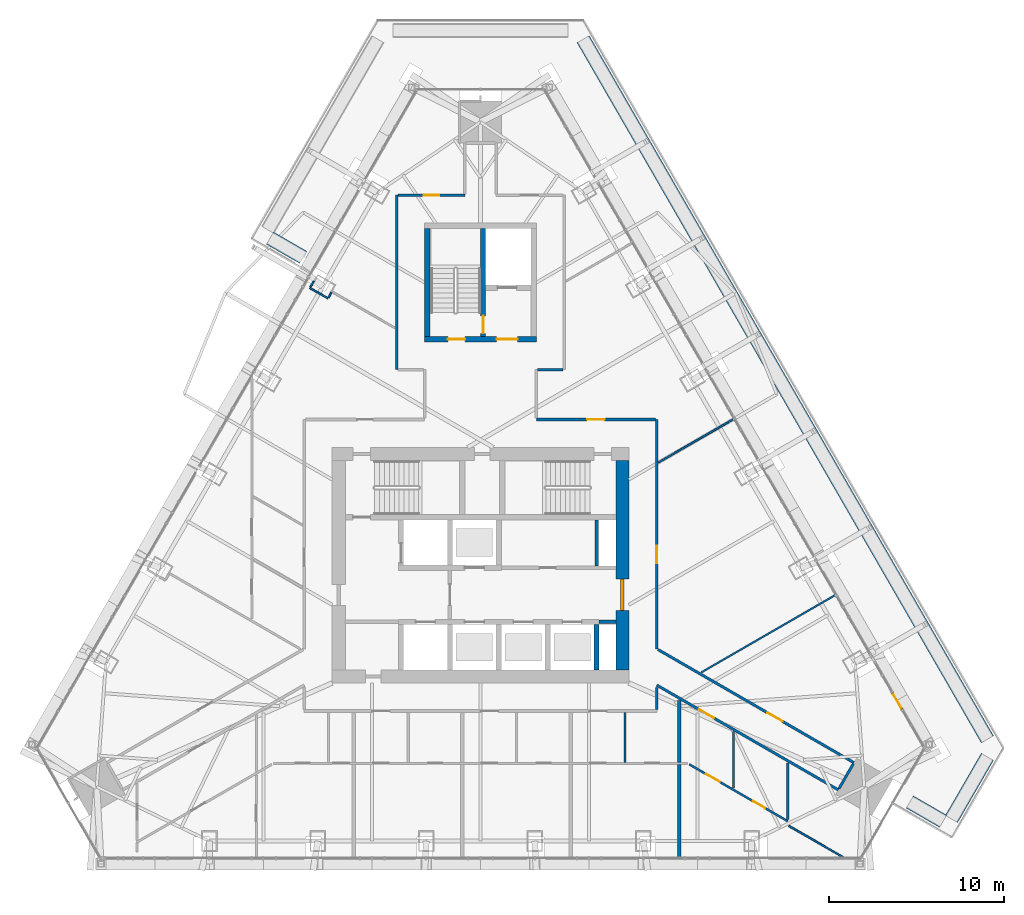
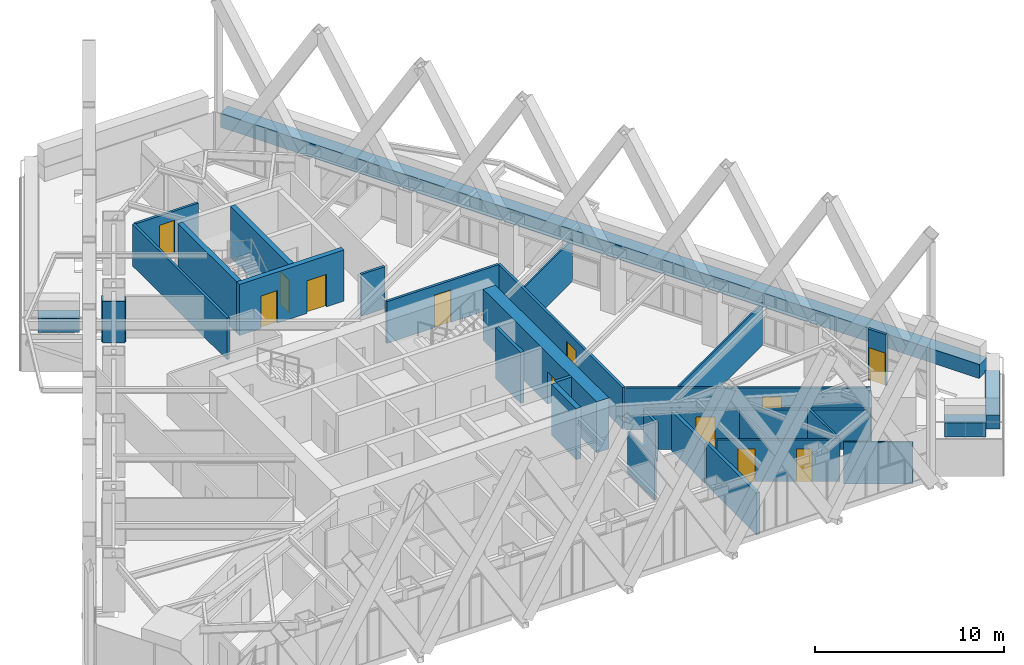
# One storey, part 19 of 23: 33 walls, 12 doors, 12 openings, 1 element without a shape of its own.
"""IFC4 building model written with IfcOpenShell, lengths in metres."""

from ifc_helpers import new_model, si_unit, direction, frame, frame_2d, origin, place, context, subcontext, project, spatial, rectangle, extrude, material, layer, layer_set, type_object, element, fill, aggregate, save


model = new_model("IFC4")

# Units and contexts
model_context = context("Model", 3, precision=1e-05, world=origin(), true_north=direction((0.0, 1.0)))
body_context = subcontext(model_context, "Body", "Model", "MODEL_VIEW")
ifc_project = project(units=[si_unit("LENGTHUNIT", "METRE"), si_unit("AREAUNIT", "SQUARE_METRE"), si_unit("VOLUMEUNIT", "CUBIC_METRE"), si_unit("PLANEANGLEUNIT", "RADIAN"), si_unit("MASSUNIT", "GRAM", prefix="KILO")], contexts=[model_context])

# Site, building, storey
site_placement = place(None, origin())
site = spatial("IfcSite", under=ifc_project, at=site_placement, CompositionType="ELEMENT")
building_placement = place(site_placement, origin())
building = spatial("IfcBuilding", under=site, at=building_placement, Name="Firuza Gate Tower and Library", CompositionType="ELEMENT")
storey_placement = place(building_placement, frame((0.0, 0.0, 291.60009765625)))
storey = spatial("IfcBuildingStorey", under=building, at=storey_placement, Name="L70", CompositionType="ELEMENT", Elevation=291.60009765625)

# Walls
ifc_material_1 = material(Name="Plasterboard on steel studs", Category="steel")
ifc_layer_1 = layer(ifc_material_1, 0.199951171875)
ifc_layer_set_1 = layer_set([ifc_layer_1], Name="Core partition 200 EI 120")
wall_type_1 = type_object("IfcWallType", Name="Core partition 200 EI 120", PredefinedType="PARTITIONING", material=ifc_layer_set_1)
wall_1_placement = place(storey_placement, frame((81.800048828125, 71.75, 0.0), z_axis=(0.0, 0.0, 1.0), x_axis=(1.0, 0.0, 0.0)))
element("IfcWall", 1, at=wall_1_placement, inside=storey, type_object=wall_type_1, Name="Core partition L70 2", PredefinedType="PARTITIONING", context=body_context, shape_type="SweptSolid", body=[
    extrude(rectangle(XDim=0.949951171875, YDim=0.199951171875, at=frame_2d((0.47509765625, 0.0))), origin(), (0.0, 0.0, 1.0), 3.2998046875),
])
wall_2_placement = place(storey_placement, frame((81.64990234375, 74.949951171875, 0.0), z_axis=(0.0, 0.0, 1.0), x_axis=(0.0, 1.0, 0.0)))
element("IfcWall", 2, at=wall_2_placement, inside=storey, type_object=wall_type_1, Name="Core partition L70 5", PredefinedType="PARTITIONING", context=body_context, shape_type="SweptSolid", body=[
    extrude(rectangle(XDim=2.650146484375, YDim=0.199951171875, at=frame_2d((1.3251953125, 0.0))), origin(), (0.0, 0.0, 1.0), 3.2998046875),
])
ifc_material_2 = material(Name="Concrete C60/75", Category="concrete")
ifc_layer_2 = layer(ifc_material_2, 0.300048828125)
ifc_layer_set_2 = layer_set([ifc_layer_2], Name="Core wall 300 C60/75")
wall_type_2 = type_object("IfcWallType", Name="Core wall 300 C60/75", PredefinedType="SHEAR", material=ifc_layer_set_2)
wall_3_placement = place(storey_placement, frame((81.64990234375, 69.0, 0.0), z_axis=(0.0, 0.0, 1.0), x_axis=(0.0, 1.0, 0.0)))
element("IfcWall", 3, at=wall_3_placement, inside=storey, type_object=wall_type_2, Name="Core wall L70 14", PredefinedType="SHEAR", context=body_context, shape_type="SweptSolid", body=[
    extrude(rectangle(XDim=2.60009765625, YDim=0.300048828125, at=frame_2d((1.300048828125, 0.0))), origin(), (0.0, 0.0, 1.0), 3.2998046875),
])

# Wall, openings, doors
wall_4_placement = place(storey_placement, frame((71.800048828125, 87.949951171875, 0.0), z_axis=(0.0, 0.0, 1.0), x_axis=(1.0, 0.0, 0.0)))
wall_4 = element("IfcWall", 4, at=wall_4_placement, inside=storey, type_object=wall_type_2, Name="Core wall L70 18", PredefinedType="SHEAR", context=body_context, shape_type="SweptSolid", body=[
    extrude(rectangle(XDim=6.39990234375, YDim=0.300048828125, at=frame_2d((3.199951171875, 0.0))), origin(), (0.0, 0.0, 1.0), 3.2998046875),
])
opening_1_placement = place(wall_4_placement, frame((1.324951171875, 0.0, 0.0)))
opening_1 = element("IfcOpeningElement", 5, at=opening_1_placement, cuts=wall_4, Name="Opening L70-K11", PredefinedType="OPENING", context=body_context, shape_type="SweptSolid", body=[
    extrude(rectangle(XDim=1.0, YDim=2.10009765625, at=frame_2d((0.5, 1.050048828125))), frame((0.0, 0.16015625, 0.0), z_axis=(0.0, -1.0, 0.0), x_axis=(1.0, 0.0, 0.0)), (0.0, 0.0, 1.0), 0.320068359375),
])
opening_2_placement = place(wall_4_placement, frame((4.125, 0.0, 0.0)))
opening_2 = element("IfcOpeningElement", 6, at=opening_2_placement, cuts=wall_4, Name="Opening L70-K13", PredefinedType="OPENING", context=body_context, shape_type="SweptSolid", body=[
    extrude(rectangle(XDim=1.199951171875, YDim=2.10009765625, at=frame_2d((0.60009765625, 1.050048828125))), frame((0.0, 0.16015625, 0.0), z_axis=(0.0, -1.0, 0.0), x_axis=(1.0, 0.0, 0.0)), (0.0, 0.0, 1.0), 0.320068359375),
])
ifc_material_3 = material(Name="Steel", Category="steel")
door_type_1 = type_object("IfcDoorType", Name="Fire door 1000x2100 FD90", OperationType="NOTDEFINED", PredefinedType="DOOR", material=ifc_material_3)
door_1_placement = place(opening_1_placement, origin())
door_1 = element("IfcDoor", 7, at=door_1_placement, inside=storey, type_object=door_type_1, Name="Door L70-K11", OperationType="SINGLE_SWING_RIGHT", OverallHeight=2.10009765625, OverallWidth=1.0, PredefinedType="DOOR", context=body_context, shape_type="SweptSolid", body=[
    extrude(rectangle(XDim=1.0, YDim=2.10009765625, at=frame_2d((0.5, 1.050048828125))), frame((0.0, 0.02490234375, 0.0), z_axis=(0.0, -1.0, 0.0), x_axis=(1.0, 0.0, 0.0)), (0.0, 0.0, 1.0), 0.050048828125),
])
fill(opening_1, door_1)
ifc_material_4 = material(Name="Steel", Category="steel")
door_type_2 = type_object("IfcDoorType", Name="Fire door 1200x2100 FD30S", OperationType="NOTDEFINED", PredefinedType="DOOR", material=ifc_material_4)
door_2_placement = place(opening_2_placement, origin())
door_2 = element("IfcDoor", 8, at=door_2_placement, inside=storey, type_object=door_type_2, Name="Door L70-K13", OperationType="SINGLE_SWING_RIGHT", OverallHeight=2.10009765625, OverallWidth=1.199951171875, PredefinedType="DOOR", context=body_context, shape_type="SweptSolid", body=[
    extrude(rectangle(XDim=1.199951171875, YDim=2.10009765625, at=frame_2d((0.60009765625, 1.050048828125))), frame((0.0, 0.02490234375, 0.0), z_axis=(0.0, -1.0, 0.0), x_axis=(1.0, 0.0, 0.0)), (0.0, 0.0, 1.0), 0.050048828125),
])
fill(opening_2, door_2)

# Wall
wall_5_placement = place(storey_placement, frame((71.949951171875, 88.10009765625, 0.0), z_axis=(0.0, 0.0, 1.0), x_axis=(0.0, 1.0, 0.0)))
element("IfcWall", 9, at=wall_5_placement, inside=storey, type_object=wall_type_2, Name="Core wall L70 20", PredefinedType="SHEAR", context=body_context, shape_type="SweptSolid", body=[
    extrude(rectangle(XDim=6.199951171875, YDim=0.300048828125, at=frame_2d((3.10009765625, 0.0))), origin(), (0.0, 0.0, 1.0), 3.2998046875),
])

# Wall, opening, door
wall_6_placement = place(storey_placement, frame((75.14990234375, 88.10009765625, 0.0), z_axis=(0.0, 0.0, 1.0), x_axis=(0.0, 1.0, 0.0)))
wall_6 = element("IfcWall", 10, at=wall_6_placement, inside=storey, type_object=wall_type_2, Name="Core wall L70 23", PredefinedType="SHEAR", context=body_context, shape_type="SweptSolid", body=[
    extrude(rectangle(XDim=6.199951171875, YDim=0.300048828125, at=frame_2d((3.10009765625, 0.0))), origin(), (0.0, 0.0, 1.0), 3.2998046875),
])
opening_3_placement = place(wall_6_placement, frame((0.18505859375, 0.0, 0.0)))
opening_3 = element("IfcOpeningElement", 11, at=opening_3_placement, cuts=wall_6, Name="Opening L70-K12", PredefinedType="OPENING", context=body_context, shape_type="SweptSolid", body=[
    extrude(rectangle(XDim=1.0, YDim=2.10009765625, at=frame_2d((0.5, 1.050048828125))), frame((0.0, 0.16015625, 0.0), z_axis=(0.0, -1.0, 0.0), x_axis=(1.0, 0.0, 0.0)), (0.0, 0.0, 1.0), 0.320068359375),
])
door_3_placement = place(opening_3_placement, origin())
door_3 = element("IfcDoor", 12, at=door_3_placement, inside=storey, type_object=door_type_1, Name="Door L70-K12", OperationType="SINGLE_SWING_LEFT", OverallHeight=2.10009765625, OverallWidth=1.0, PredefinedType="DOOR", context=body_context, shape_type="SweptSolid", body=[
    extrude(rectangle(XDim=1.0, YDim=2.10009765625, at=frame_2d((0.5, 1.050048828125))), frame((0.0, 0.02490234375, 0.0), z_axis=(0.0, -1.0, 0.0), x_axis=(1.0, 0.0, 0.0)), (0.0, 0.0, 1.0), 0.050048828125),
])
fill(opening_3, door_3)

ifc_material_5 = material(Name="Concrete C60/75", Category="concrete")
ifc_layer_3 = layer(ifc_material_5, 0.75)
ifc_layer_set_3 = layer_set([ifc_layer_3], Name="Core wall 750 C60/75")
wall_type_3 = type_object("IfcWallType", Name="Core wall 750 C60/75", PredefinedType="SHEAR", material=ifc_layer_set_3)
wall_7_placement = place(storey_placement, frame((83.125, 69.0, 0.0), z_axis=(0.0, 0.0, 1.0), x_axis=(0.0, 1.0, 0.0)))
wall_7 = element("IfcWall", 13, at=wall_7_placement, inside=storey, type_object=wall_type_3, Name="Core wall L70 4", PredefinedType="SHEAR", context=body_context, shape_type="SweptSolid", body=[
    extrude(rectangle(XDim=12.0, YDim=0.75, at=frame_2d((6.0, 0.0))), origin(), (0.0, 0.0, 1.0), 3.2998046875),
])
opening_4_placement = place(wall_7_placement, frame((3.39990234375, 0.0, 0.0)))
opening_4 = element("IfcOpeningElement", 14, at=opening_4_placement, cuts=wall_7, Name="Opening L70-K16", PredefinedType="OPENING", context=body_context, shape_type="SweptSolid", body=[
    extrude(rectangle(XDim=1.800048828125, YDim=2.10009765625, at=frame_2d((0.89990234375, 1.050048828125))), frame((0.0, 0.385009765625, 0.0), z_axis=(0.0, -1.0, 0.0), x_axis=(1.0, 0.0, 0.0)), (0.0, 0.0, 1.0), 0.77001953125),
])
ifc_material_6 = material(Name="Steel", Category="steel")
door_type_3 = type_object("IfcDoorType", Name="Fire door 1800x2100 FD30S", OperationType="NOTDEFINED", PredefinedType="DOOR", material=ifc_material_6)
door_4_placement = place(opening_4_placement, origin())
door_4 = element("IfcDoor", 15, at=door_4_placement, inside=storey, type_object=door_type_3, Name="Door L70-K16", OperationType="SINGLE_SWING_LEFT", OverallHeight=2.10009765625, OverallWidth=1.800048828125, PredefinedType="DOOR", context=body_context, shape_type="SweptSolid", body=[
    extrude(rectangle(XDim=1.800048828125, YDim=2.10009765625, at=frame_2d((0.89990234375, 1.050048828125))), frame((0.0, 0.094970703125, 0.0), z_axis=(0.0, -1.0, 0.0), x_axis=(1.0, 0.0, 0.0)), (0.0, 0.0, 1.0), 0.18994140625),
])
fill(opening_4, door_4)

ifc_material_7 = material(Name="Gypsum board partition")
ifc_layer_4 = layer(ifc_material_7, 0.14990234375)
ifc_layer_set_4 = layer_set([ifc_layer_4], Name="Corridor wall 150 double board on steel studs")
wall_type_4 = type_object("IfcWallType", Name="Corridor wall 150 double board on steel studs", PredefinedType="PARTITIONING", material=ifc_layer_set_4)
wall_8_placement = place(storey_placement, frame((78.199951171875, 83.35009765625, 0.0), z_axis=(0.0, 0.0, 1.0), x_axis=(1.0, 0.0, 0.0)))
wall_8 = element("IfcWall", 16, at=wall_8_placement, inside=storey, type_object=wall_type_4, Name="f:L70:w003", PredefinedType="PARTITIONING", context=body_context, shape_type="SweptSolid", body=[
    extrude(rectangle(XDim=6.824462890625, YDim=0.14990234375, at=frame_2d((3.412109375, 0.0))), origin(), (0.0, 0.0, 1.0), 2.699951171875),
])
opening_5_placement = place(wall_8_placement, frame((2.912353515625, 0.0, 0.0)))
opening_5 = element("IfcOpeningElement", 17, at=opening_5_placement, cuts=wall_8, Name="Opening L70-13", PredefinedType="OPENING", context=body_context, shape_type="SweptSolid", body=[
    extrude(rectangle(XDim=1.0, YDim=2.10009765625, at=frame_2d((0.5, 1.050048828125))), frame((0.0, 0.0849609375, 0.0), z_axis=(0.0, -1.0, 0.0), x_axis=(1.0, 0.0, 0.0)), (0.0, 0.0, 1.0), 0.169921875),
])
ifc_material_8 = material(Name="Steel door and timber leaf", Category="steel")
door_type_4 = type_object("IfcDoorType", Name="Fire door 1000 x 2100 steel frame, timber leaf", OperationType="NOTDEFINED", PredefinedType="DOOR", material=ifc_material_8)
door_5_placement = place(opening_5_placement, origin())
door_5 = element("IfcDoor", 18, at=door_5_placement, inside=storey, type_object=door_type_4, Name="f:L70:d013", OperationType="SINGLE_SWING_LEFT", OverallHeight=2.10009765625, OverallWidth=1.0, PredefinedType="DOOR", context=body_context, shape_type="SweptSolid", body=[
    extrude(rectangle(XDim=1.0, YDim=2.10009765625, at=frame_2d((0.5, 1.050048828125))), frame((0.0, 0.02490234375, 0.0), z_axis=(0.0, -1.0, 0.0), x_axis=(1.0, 0.0, 0.0)), (0.0, 0.0, 1.0), 0.050048828125),
])
fill(opening_5, door_5)

# Wall
wall_9_placement = place(storey_placement, frame((78.27490234375, 86.199951171875, 0.0), z_axis=(0.0, 0.0, 1.0), x_axis=(1.0, 0.0, 0.0)))
element("IfcWall", 19, at=wall_9_placement, inside=storey, type_object=wall_type_4, Name="f:L70:w005", PredefinedType="PARTITIONING", context=body_context, shape_type="SweptSolid", body=[
    extrude(rectangle(XDim=1.44970703125, YDim=0.14990234375, at=frame_2d((0.724853515625, 0.0))), origin(), (0.0, 0.0, 1.0), 2.699951171875),
])

# Wall, opening, door
wall_10_placement = place(storey_placement, frame((74.10009765625, 96.199951171875, 0.0), z_axis=(0.0, 0.0, 1.0), x_axis=(-1.0, 0.0, 0.0)))
wall_10 = element("IfcWall", 20, at=wall_10_placement, inside=storey, type_object=wall_type_4, Name="f:L70:w006", PredefinedType="PARTITIONING", context=body_context, shape_type="SweptSolid", body=[
    extrude(rectangle(XDim=3.82470703125, YDim=0.14990234375, at=frame_2d((1.912353515625, 0.0))), origin(), (0.0, 0.0, 1.0), 2.699951171875),
])
opening_6_placement = place(wall_10_placement, frame((1.462158203125, 0.0, 0.0)))
opening_6 = element("IfcOpeningElement", 21, at=opening_6_placement, cuts=wall_10, Name="Opening L70-14", PredefinedType="OPENING", context=body_context, shape_type="SweptSolid", body=[
    extrude(rectangle(XDim=0.89990234375, YDim=2.10009765625, at=frame_2d((0.449951171875, 1.050048828125))), frame((0.0, 0.0849609375, 0.0), z_axis=(0.0, -1.0, 0.0), x_axis=(1.0, 0.0, 0.0)), (0.0, 0.0, 1.0), 0.169921875),
])
ifc_material_9 = material(Name="Steel door and timber leaf", Category="steel")
door_type_5 = type_object("IfcDoorType", Name="Fire door 900 x 2100 steel frame, timber leaf", OperationType="NOTDEFINED", PredefinedType="DOOR", material=ifc_material_9)
door_6_placement = place(opening_6_placement, origin())
door_6 = element("IfcDoor", 22, at=door_6_placement, inside=storey, type_object=door_type_5, Name="f:L70:d014", OperationType="SINGLE_SWING_RIGHT", OverallHeight=2.10009765625, OverallWidth=0.89990234375, PredefinedType="DOOR", context=body_context, shape_type="SweptSolid", body=[
    extrude(rectangle(XDim=0.89990234375, YDim=2.10009765625, at=frame_2d((0.449951171875, 1.050048828125))), frame((0.0, 0.02490234375, 0.0), z_axis=(0.0, -1.0, 0.0), x_axis=(1.0, 0.0, 0.0)), (0.0, 0.0, 1.0), 0.050048828125),
])
fill(opening_6, door_6)

# Walls
wall_11_placement = place(storey_placement, frame((95.5361328125, 62.19140625, 0.0), z_axis=(0.0, 0.0, 1.0), x_axis=(0.500008692254, 0.866020385251, 0.0)))
element("IfcWall", 23, at=wall_11_placement, inside=storey, type_object=wall_type_4, Name="f:L70:w018", PredefinedType="PARTITIONING", context=body_context, shape_type="SweptSolid", body=[
    extrude(rectangle(XDim=1.64892578125, YDim=0.14990234375, at=frame_2d((0.824462890625, 0.0))), origin(), (0.0, 0.0, 1.0), 2.546875),
])
wall_12_placement = place(storey_placement, frame((85.10009765625, 66.72509765625, 0.0), z_axis=(0.0, 0.0, 1.0), x_axis=(0.0, 1.0, 0.0)))
element("IfcWall", 24, at=wall_12_placement, inside=storey, type_object=wall_type_4, Name="f:L70:w026", PredefinedType="PARTITIONING", context=body_context, shape_type="SweptSolid", body=[
    extrude(rectangle(XDim=1.267822265625, YDim=0.14990234375, at=frame_2d((0.6337890625, 0.0))), origin(), (0.0, 0.0, 1.0), 2.546875),
])

# Wall, opening, door
wall_13_placement = place(storey_placement, frame((85.10009765625, 83.349609375, 0.0), z_axis=(0.0, 0.0, 1.0), x_axis=(0.0, -1.0, 0.0)))
wall_13 = element("IfcWall", 25, at=wall_13_placement, inside=storey, type_object=wall_type_4, Name="f:L70:w027", PredefinedType="PARTITIONING", context=body_context, shape_type="SweptSolid", body=[
    extrude(rectangle(XDim=13.1416015625, YDim=0.14990234375, at=frame_2d((6.57080078125, 0.0))), origin(), (0.0, 0.0, 1.0), 2.699951171875),
])
opening_7_placement = place(wall_13_placement, frame((7.22802734375, 0.0, 0.0)))
opening_7 = element("IfcOpeningElement", 26, at=opening_7_placement, cuts=wall_13, Name="Opening L70-19", PredefinedType="OPENING", context=body_context, shape_type="SweptSolid", body=[
    extrude(rectangle(XDim=1.0, YDim=2.10009765625, at=frame_2d((0.5, 1.050048828125))), frame((0.0, 0.0849609375, 0.0), z_axis=(0.0, -1.0, 0.0), x_axis=(1.0, 0.0, 0.0)), (0.0, 0.0, 1.0), 0.169921875),
])
door_7_placement = place(opening_7_placement, origin())
door_7 = element("IfcDoor", 27, at=door_7_placement, inside=storey, type_object=door_type_4, Name="f:L70:d019", OperationType="SINGLE_SWING_LEFT", OverallHeight=2.10009765625, OverallWidth=1.0, PredefinedType="DOOR", context=body_context, shape_type="SweptSolid", body=[
    extrude(rectangle(XDim=1.0, YDim=2.10009765625, at=frame_2d((0.5, 1.050048828125))), frame((0.0, 0.02490234375, 0.0), z_axis=(0.0, -1.0, 0.0), x_axis=(1.0, 0.0, 0.0)), (0.0, 0.0, 1.0), 0.050048828125),
])
fill(opening_7, door_7)

# Wall
wall_14_placement = place(storey_placement, frame((70.199951171875, 86.201904296875, 0.0), z_axis=(0.0, 0.0, 1.0), x_axis=(0.0, 1.0, 0.0)))
element("IfcWall", 28, at=wall_14_placement, inside=storey, type_object=wall_type_4, Name="f:L70:w040", PredefinedType="PARTITIONING", context=body_context, shape_type="SweptSolid", body=[
    extrude(rectangle(XDim=9.99755859375, YDim=0.14990234375, at=frame_2d((4.998779296875, 0.0))), origin(), (0.0, 0.0, 1.0), 2.699951171875),
])

# Wall, opening, door
wall_15_placement = place(storey_placement, frame((85.175048828125, 70.164794921875, 0.0), z_axis=(0.0, 0.0, 1.0), x_axis=(0.866023706001, -0.500002940635, 0.0)))
wall_15 = element("IfcWall", 29, at=wall_15_placement, inside=storey, type_object=wall_type_4, Name="f:L70:w052", PredefinedType="PARTITIONING", context=body_context, shape_type="SweptSolid", body=[
    extrude(rectangle(XDim=12.95947265625, YDim=0.14990234375, at=frame_2d((6.479736328125, 0.0))), origin(), (0.0, 0.0, 1.0), 2.699951171875),
])
opening_8_placement = place(wall_15_placement, frame((7.24560546875, 0.0, 0.0)))
opening_8 = element("IfcOpeningElement", 30, at=opening_8_placement, cuts=wall_15, Name="Opening L70-24", PredefinedType="OPENING", context=body_context, shape_type="SweptSolid", body=[
    extrude(rectangle(XDim=1.0, YDim=2.10009765625, at=frame_2d((0.5, 1.050048828125))), frame((0.0, 0.0849609375, 0.0), z_axis=(0.0, -1.0, 0.0), x_axis=(1.0, 0.0, 0.0)), (0.0, 0.0, 1.0), 0.169921875),
])
door_8_placement = place(opening_8_placement, origin())
door_8 = element("IfcDoor", 31, at=door_8_placement, inside=storey, type_object=door_type_4, Name="f:L70:d024", OperationType="SINGLE_SWING_RIGHT", OverallHeight=2.10009765625, OverallWidth=1.0, PredefinedType="DOOR", context=body_context, shape_type="SweptSolid", body=[
    extrude(rectangle(XDim=1.0, YDim=2.10009765625, at=frame_2d((0.5, 1.050048828125))), frame((0.0, 0.02490234375, 0.0), z_axis=(0.0, -1.0, 0.0), x_axis=(1.0, 0.0, 0.0)), (0.0, 0.0, 1.0), 0.050048828125),
])
fill(opening_8, door_8)

wall_16_placement = place(storey_placement, frame((95.498291015625, 62.126220703125, 0.0), z_axis=(0.0, 0.0, 1.0), x_axis=(-0.866024746207, 0.500001138955, 0.0)))
wall_16 = element("IfcWall", 32, at=wall_16_placement, inside=storey, type_object=wall_type_4, Name="f:L70:w053", PredefinedType="PARTITIONING", context=body_context, shape_type="SweptSolid", body=[
    extrude(rectangle(XDim=12.0068359375, YDim=0.14990234375, at=frame_2d((6.00341796875, 0.0))), origin(), (0.0, 0.0, 1.0), 2.546875),
])
opening_9_placement = place(wall_16_placement, frame((8.221923828125, 0.0, 0.0)))
opening_9 = element("IfcOpeningElement", 33, at=opening_9_placement, cuts=wall_16, Name="Opening L70-25", PredefinedType="OPENING", context=body_context, shape_type="SweptSolid", body=[
    extrude(rectangle(XDim=1.0, YDim=2.10009765625, at=frame_2d((0.5, 1.050048828125))), frame((0.0, 0.0849609375, 0.0), z_axis=(0.0, -1.0, 0.0), x_axis=(1.0, 0.0, 0.0)), (0.0, 0.0, 1.0), 0.169921875),
])
door_9_placement = place(opening_9_placement, origin())
door_9 = element("IfcDoor", 34, at=door_9_placement, inside=storey, type_object=door_type_4, Name="f:L70:d025", OperationType="SINGLE_SWING_LEFT", OverallHeight=2.10009765625, OverallWidth=1.0, PredefinedType="DOOR", context=body_context, shape_type="SweptSolid", body=[
    extrude(rectangle(XDim=1.0, YDim=2.10009765625, at=frame_2d((0.5, 1.050048828125))), frame((0.0, 0.02490234375, 0.0), z_axis=(0.0, -1.0, 0.0), x_axis=(1.0, 0.0, 0.0)), (0.0, 0.0, 1.0), 0.050048828125),
])
fill(opening_9, door_9)

# Walls
ifc_material_10 = material(Name="Gypsum board partition")
ifc_layer_5 = layer(ifc_material_10, 0.199951171875)
ifc_layer_set_5 = layer_set([ifc_layer_5], Name="Demising wall 200 acoustic double stud")
wall_type_5 = type_object("IfcWallType", Name="Demising wall 200 acoustic double stud", PredefinedType="PARTITIONING", material=ifc_layer_set_5)
wall_17_placement = place(storey_placement, frame((86.39111328125, 58.2275390625, 0.0), z_axis=(0.0, 0.0, 1.0), x_axis=(0.0, 1.0, 0.0)))
element("IfcWall", 35, at=wall_17_placement, inside=storey, type_object=wall_type_5, Name="f:L70:w025", PredefinedType="PARTITIONING", context=body_context, shape_type="SweptSolid", body=[
    extrude(rectangle(XDim=5.362548828125, YDim=0.199951171875, at=frame_2d((2.68115234375, 0.0))), origin(), (0.0, 0.0, 1.0), 2.699951171875),
])
wall_18_placement = place(storey_placement, frame((86.39111328125, 63.7099609375, 0.0), z_axis=(0.0, 0.0, 1.0), x_axis=(0.0, 1.0, 0.0)))
element("IfcWall", 36, at=wall_18_placement, inside=storey, type_object=wall_type_5, Name="f:L70:w060", PredefinedType="PARTITIONING", context=body_context, shape_type="SweptSolid", body=[
    extrude(rectangle(XDim=3.527587890625, YDim=0.199951171875, at=frame_2d((1.763671875, 0.0))), origin(), (0.0, 0.0, 1.0), 2.546875),
])
ifc_material_11 = material(Name="Gypsum board partition")
ifc_layer_6 = layer(ifc_material_11, 0.10009765625)
ifc_layer_set_6 = layer_set([ifc_layer_6], Name="Partition 100 gypsum board on steel studs")
wall_type_6 = type_object("IfcWallType", Name="Partition 100 gypsum board on steel studs", PredefinedType="PARTITIONING", material=ifc_layer_set_6)
wall_19_placement = place(storey_placement, frame((87.644775390625, 68.855224609375, 0.0), z_axis=(0.0, 0.0, 1.0), x_axis=(0.866023307551, 0.500003630766, 0.0)))
element("IfcWall", 37, at=wall_19_placement, inside=storey, type_object=wall_type_6, Name="f:L70:w010", PredefinedType="PARTITIONING", context=body_context, shape_type="SweptSolid", body=[
    extrude(rectangle(XDim=8.89404296875, YDim=0.10009765625, at=frame_2d((4.447021484375, 0.0))), origin(), (0.0, 0.0, 1.0), 2.68798828125),
])
wall_20_placement = place(storey_placement, frame((85.200927734375, 80.8896484375, 0.0), z_axis=(0.0, 0.0, 1.0), x_axis=(0.866025995923, 0.499998974385, 0.0)))
element("IfcWall", 38, at=wall_20_placement, inside=storey, type_object=wall_type_6, Name="f:L70:w014", PredefinedType="PARTITIONING", context=body_context, shape_type="SweptSolid", body=[
    extrude(rectangle(XDim=4.9931640625, YDim=0.10009765625, at=frame_2d((2.49658203125, 0.0))), origin(), (0.0, 0.0, 1.0), 2.68798828125),
])
wall_21_placement = place(storey_placement, frame((66.28759765625, 90.33349609375, 0.0), z_axis=(0.0, 0.0, 1.0), x_axis=(0.499620918551, 0.866244155967, 0.0)))
element("IfcWall", 39, at=wall_21_placement, inside=storey, type_object=wall_type_6, Name="f:L70:w020", PredefinedType="PARTITIONING", context=body_context, shape_type="SweptSolid", body=[
    extrude(rectangle(XDim=0.346923828125, YDim=0.10009765625, at=frame_2d((0.17333984375, 0.0))), origin(), (0.0, 0.0, 1.0), 2.699951171875),
])
wall_22_placement = place(storey_placement, frame((65.250732421875, 90.937744140625, 0.0), z_axis=(0.0, 0.0, 1.0), x_axis=(0.500225704022, 0.865895054285, 0.0)))
element("IfcWall", 40, at=wall_22_placement, inside=storey, type_object=wall_type_6, Name="f:L70:w022", PredefinedType="PARTITIONING", context=body_context, shape_type="SweptSolid", body=[
    extrude(rectangle(XDim=0.391845703125, YDim=0.10009765625, at=frame_2d((0.19580078125, 0.0))), origin(), (0.0, 0.0, 1.0), 2.699951171875),
])
wall_23_placement = place(storey_placement, frame((66.258056640625, 90.28955078125, 0.0), z_axis=(0.0, 0.0, 1.0), x_axis=(-0.866032345022, 0.499987977232, 0.0)))
element("IfcWall", 41, at=wall_23_placement, inside=storey, type_object=wall_type_6, Name="f:L70:w051", PredefinedType="PARTITIONING", context=body_context, shape_type="SweptSolid", body=[
    extrude(rectangle(XDim=1.19384765625, YDim=0.10009765625, at=frame_2d((0.596923828125, 0.0))), origin(), (0.0, 0.0, 1.0), 2.68798828125),
])
wall_24_placement = place(storey_placement, frame((95.850830078125, 58.2275390625, 0.0), z_axis=(0.0, 0.0, 1.0), x_axis=(-0.866025356753, 0.50000008146, 0.0)))
element("IfcWall", 42, at=wall_24_placement, inside=storey, type_object=wall_type_6, Name="f:L70:w056", PredefinedType="PARTITIONING", context=body_context, shape_type="SweptSolid", body=[
    extrude(rectangle(XDim=3.67919921875, YDim=0.10009765625, at=frame_2d((1.839599609375, 0.0))), origin(), (0.0, 0.0, 1.0), 2.699951171875),
])
ifc_material_12 = material(Name="Concrete C40/50", Category="concrete")
ifc_layer_7 = layer(ifc_material_12, 0.800048828125)
ifc_layer_set_7 = layer_set([ifc_layer_7], Name="Planter wall 800")
wall_type_7 = type_object("IfcWallType", Name="Planter wall 800", PredefinedType="SOLIDWALL", material=ifc_layer_set_7)
wall_25_placement = place(storey_placement, frame((99.60107421875, 61.431640625, 0.0), z_axis=(0.0, 0.0, 1.0), x_axis=(0.866008176907, -0.50002983664, 0.0)))
element("IfcWall", 43, at=wall_25_placement, inside=storey, type_object=wall_type_7, Name="PLANTER L70 1", PredefinedType="SOLIDWALL", context=body_context, shape_type="SweptSolid", body=[
    extrude(rectangle(XDim=2.199951171875, YDim=0.800048828125, at=frame_2d((1.10009765625, 0.0))), origin(), (0.0, 0.0, 1.0), 0.89990234375),
])
wall_26_placement = place(storey_placement, frame((101.984375, 60.459716796875, 0.0), z_axis=(0.0, 0.0, 1.0), x_axis=(0.49999844609, 0.866026300933, 0.0)))
element("IfcWall", 44, at=wall_26_placement, inside=storey, type_object=wall_type_7, Name="PLANTER L70 2", PredefinedType="SOLIDWALL", context=body_context, shape_type="SweptSolid", body=[
    extrude(rectangle(XDim=4.109375, YDim=0.800048828125, at=frame_2d((2.0546875, 0.0))), origin(), (0.0, 0.0, 1.0), 0.89990234375),
])
wall_27_placement = place(storey_placement, frame((104.0390625, 65.02734375, 0.0), z_axis=(0.0, 0.0, 1.0), x_axis=(-0.499997313161, 0.866026955026, 0.0)))
element("IfcWall", 45, at=wall_27_placement, inside=storey, type_object=wall_type_7, Name="PLANTER L70 3", PredefinedType="SOLIDWALL", context=body_context, shape_type="SweptSolid", body=[
    extrude(rectangle(XDim=46.312255859375, YDim=0.800048828125, at=frame_2d((23.15625, 0.0))), origin(), (0.0, 0.0, 1.0), 0.89990234375),
])
wall_28_placement = place(storey_placement, frame((62.94140625, 93.73876953125, 0.0), z_axis=(0.0, 0.0, 1.0), x_axis=(0.866008176907, -0.50002983664, 0.0)))
element("IfcWall", 46, at=wall_28_placement, inside=storey, type_object=wall_type_7, Name="PLANTER L70 6", PredefinedType="SOLIDWALL", context=body_context, shape_type="SweptSolid", body=[
    extrude(rectangle(XDim=2.199951171875, YDim=0.800048828125, at=frame_2d((1.10009765625, 0.0))), origin(), (0.0, 0.0, 1.0), 0.89990234375),
])

# Curtain wall, wall, opening, door
ifc_material_13 = material(Name="Aluminium 6063-T6", Category="aluminium")
ifc_layer_8 = layer(ifc_material_13, 0.14990234375)
ifc_layer_set_8 = layer_set([ifc_layer_8], Name="Unitised curtain wall, residences")
curtain_wall_type = type_object("IfcCurtainWallType", Name="Unitised curtain wall, residences", PredefinedType="NOTDEFINED", material=ifc_layer_set_8)
curtain_wall_placement = place(storey_placement, origin())
curtain_wall = element("IfcCurtainWall", 47, at=curtain_wall_placement, inside=storey, type_object=curtain_wall_type, Name="CW3 L70 E face", PredefinedType="NOTDEFINED")
ifc_material_14 = material(Name="Aluminium 6063-T6", Category="aluminium")
ifc_layer_9 = layer(ifc_material_14, 0.14990234375)
ifc_layer_set_9 = layer_set([ifc_layer_9], Name="Terrace door wall 150")
wall_type_8 = type_object("IfcWallType", Name="Terrace door wall 150", PredefinedType="SOLIDWALL", material=ifc_layer_set_9)
wall_29_placement = place(storey_placement, frame((99.1533203125, 66.739990234375, 0.0), z_axis=(0.0, 0.0, 1.0), x_axis=(-0.500030632641, 0.866007717299, 0.0)))
wall_29 = element("IfcWall", 48, at=wall_29_placement, type_object=wall_type_8, Name="Terrace door wall", PredefinedType="SOLIDWALL", context=body_context, shape_type="SweptSolid", body=[
    extrude(rectangle(XDim=1.1201171875, YDim=0.14990234375, at=frame_2d((0.56005859375, 0.0))), origin(), (0.0, 0.0, 1.0), 3.2998046875),
])
opening_10_placement = place(wall_29_placement, frame((0.06005859375, 0.0, 0.0)))
opening_10 = element("IfcOpeningElement", 49, at=opening_10_placement, cuts=wall_29, Name="Opening DR6", PredefinedType="OPENING", context=body_context, shape_type="SweptSolid", body=[
    extrude(rectangle(XDim=1.0, YDim=2.10009765625, at=frame_2d((0.5, 1.050048828125))), frame((0.0, 0.0849609375, 0.0), z_axis=(0.0, -1.0, 0.0), x_axis=(1.0, 0.0, 0.0)), (0.0, 0.0, 1.0), 0.169921875),
])
ifc_material_15 = material(Name="Aluminium 6063-T6 and glass", Category="aluminium")
door_type_6 = type_object("IfcDoorType", Name="Terrace door 1000x2100", OperationType="NOTDEFINED", PredefinedType="DOOR", material=ifc_material_15)
door_10_placement = place(opening_10_placement, origin())
door_10 = element("IfcDoor", 50, at=door_10_placement, inside=storey, type_object=door_type_6, Name="Terrace door", OperationType="SINGLE_SWING_LEFT", OverallHeight=2.10009765625, OverallWidth=1.0, PredefinedType="DOOR", context=body_context, shape_type="SweptSolid", body=[
    extrude(rectangle(XDim=1.0, YDim=2.10009765625, at=frame_2d((0.5, 1.050048828125))), frame((0.0, 0.02490234375, 0.0), z_axis=(0.0, -1.0, 0.0), x_axis=(1.0, 0.0, 0.0)), (0.0, 0.0, 1.0), 0.050048828125),
])
fill(opening_10, door_10)
aggregate(curtain_wall, [wall_29])

# Walls
ifc_material_16 = material(Name="Gypsum board partition")
ifc_layer_10 = layer(ifc_material_16, 0.1201171875)
ifc_layer_set_10 = layer_set([ifc_layer_10], Name="Wet-area partition 120 moisture-resistant board")
wall_type_9 = type_object("IfcWallType", Name="Wet-area partition 120 moisture-resistant board", PredefinedType="PARTITIONING", material=ifc_layer_set_10)
wall_30_placement = place(storey_placement, frame((92.60400390625, 60.44189453125, 0.0), z_axis=(0.0, 0.0, 1.0), x_axis=(0.0, 1.0, 0.0)))
element("IfcWall", 51, at=wall_30_placement, inside=storey, type_object=wall_type_9, Name="f:L70:w023", PredefinedType="PARTITIONING", context=body_context, shape_type="SweptSolid", body=[
    extrude(rectangle(XDim=3.228271484375, YDim=0.1201171875, at=frame_2d((1.6142578125, 0.0))), origin(), (0.0, 0.0, 1.0), 2.699951171875),
])
wall_31_placement = place(storey_placement, frame((89.498046875, 62.235595703125, 0.0), z_axis=(0.0, 0.0, 1.0), x_axis=(0.0, 1.0, 0.0)))
element("IfcWall", 52, at=wall_31_placement, inside=storey, type_object=wall_type_9, Name="f:L70:w024", PredefinedType="PARTITIONING", context=body_context, shape_type="SweptSolid", body=[
    extrude(rectangle(XDim=3.228271484375, YDim=0.1201171875, at=frame_2d((1.6142578125, 0.0))), origin(), (0.0, 0.0, 1.0), 2.546875),
])
wall_32_placement = place(storey_placement, frame((83.283935546875, 63.7099609375, 0.0), z_axis=(0.0, 0.0, 1.0), x_axis=(0.0, 1.0, 0.0)))
element("IfcWall", 53, at=wall_32_placement, inside=storey, type_object=wall_type_9, Name="f:L70:w028", PredefinedType="PARTITIONING", context=body_context, shape_type="SweptSolid", body=[
    extrude(rectangle(XDim=2.864990234375, YDim=0.1201171875, at=frame_2d((1.4326171875, 0.0))), origin(), (0.0, 0.0, 1.0), 2.699951171875),
])

# Wall, openings, doors
wall_33_placement = place(storey_placement, frame((86.962646484375, 63.590087890625, 0.0), z_axis=(0.0, 0.0, 1.0), x_axis=(0.866025198843, -0.500000354968, 0.0)))
wall_33 = element("IfcWall", 54, at=wall_33_placement, inside=storey, type_object=wall_type_9, Name="f:L70:w055", PredefinedType="PARTITIONING", context=body_context, shape_type="SweptSolid", body=[
    extrude(rectangle(XDim=6.5146484375, YDim=0.1201171875, at=frame_2d((3.25732421875, 0.0))), origin(), (0.0, 0.0, 1.0), 2.699951171875),
])
opening_11_placement = place(wall_33_placement, frame((1.115234375, 0.0, 0.0)))
opening_11 = element("IfcOpeningElement", 55, at=opening_11_placement, cuts=wall_33, Name="Opening L70-26", PredefinedType="OPENING", context=body_context, shape_type="SweptSolid", body=[
    extrude(rectangle(XDim=0.89990234375, YDim=2.10009765625, at=frame_2d((0.449951171875, 1.050048828125))), frame((0.0, 0.070068359375, 0.0), z_axis=(0.0, -1.0, 0.0), x_axis=(1.0, 0.0, 0.0)), (0.0, 0.0, 1.0), 0.14013671875),
])
opening_12_placement = place(wall_33_placement, frame((4.220947265625, 0.0, 0.0)))
opening_12 = element("IfcOpeningElement", 56, at=opening_12_placement, cuts=wall_33, Name="Opening L70-27", PredefinedType="OPENING", context=body_context, shape_type="SweptSolid", body=[
    extrude(rectangle(XDim=0.800048828125, YDim=2.10009765625, at=frame_2d((0.39990234375, 1.050048828125))), frame((0.0, 0.070068359375, 0.0), z_axis=(0.0, -1.0, 0.0), x_axis=(1.0, 0.0, 0.0)), (0.0, 0.0, 1.0), 0.14013671875),
])
ifc_material_17 = material(Name="Timber door", Category="wood")
door_type_7 = type_object("IfcDoorType", Name="Door 800 x 2100 timber leaf", OperationType="NOTDEFINED", PredefinedType="DOOR", material=ifc_material_17)
door_11_placement = place(opening_12_placement, origin())
door_11 = element("IfcDoor", 57, at=door_11_placement, inside=storey, type_object=door_type_7, Name="f:L70:d027", OperationType="SINGLE_SWING_LEFT", OverallHeight=2.10009765625, OverallWidth=0.800048828125, PredefinedType="DOOR", context=body_context, shape_type="SweptSolid", body=[
    extrude(rectangle(XDim=0.800048828125, YDim=2.10009765625, at=frame_2d((0.39990234375, 1.050048828125))), frame((0.0, 0.02490234375, 0.0), z_axis=(0.0, -1.0, 0.0), x_axis=(1.0, 0.0, 0.0)), (0.0, 0.0, 1.0), 0.050048828125),
])
fill(opening_12, door_11)
ifc_material_18 = material(Name="Timber door", Category="wood")
door_type_8 = type_object("IfcDoorType", Name="Door 900 x 2100 timber leaf", OperationType="NOTDEFINED", PredefinedType="DOOR", material=ifc_material_18)
door_12_placement = place(opening_11_placement, origin())
door_12 = element("IfcDoor", 58, at=door_12_placement, inside=storey, type_object=door_type_8, Name="f:L70:d026", OperationType="SINGLE_SWING_LEFT", OverallHeight=2.10009765625, OverallWidth=0.89990234375, PredefinedType="DOOR", context=body_context, shape_type="SweptSolid", body=[
    extrude(rectangle(XDim=0.89990234375, YDim=2.10009765625, at=frame_2d((0.449951171875, 1.050048828125))), frame((0.0, 0.02490234375, 0.0), z_axis=(0.0, -1.0, 0.0), x_axis=(1.0, 0.0, 0.0)), (0.0, 0.0, 1.0), 0.050048828125),
])
fill(opening_11, door_12)

save(model, "model.ifc")
